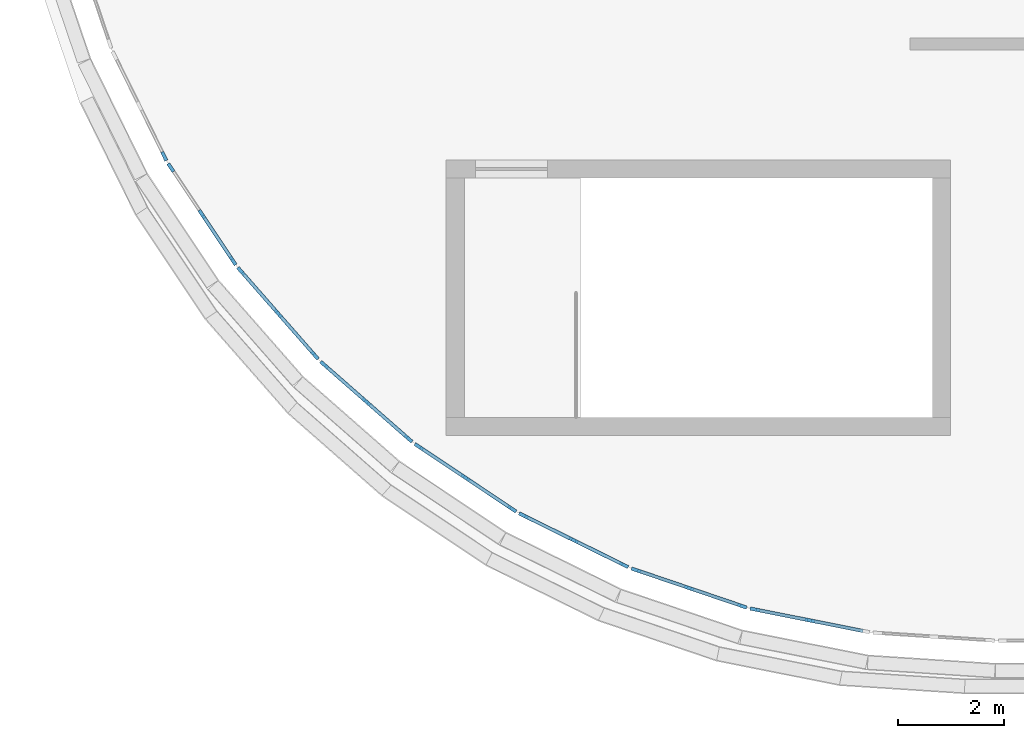
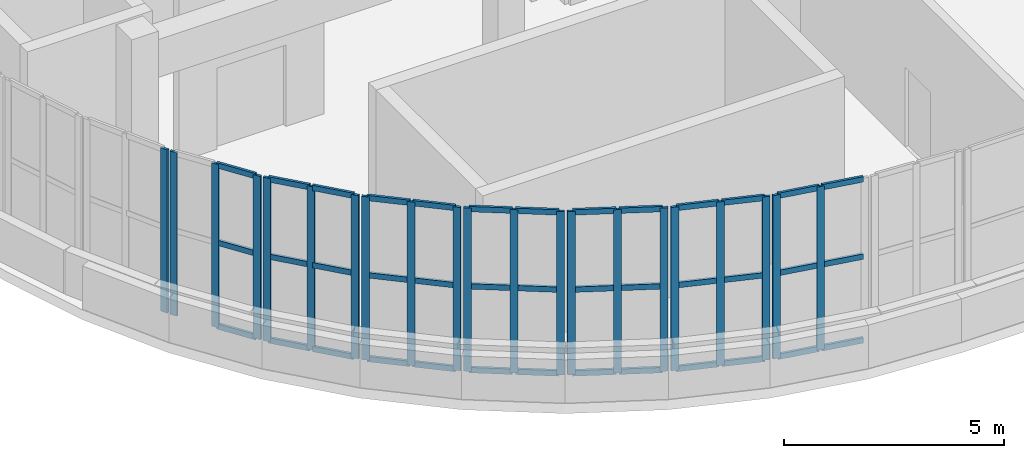
# One storey, part 2 of 23: 60 members, 8 elements without a shape of their own.
"""IFC4 building model written with IfcOpenShell, lengths in metres."""

from ifc_helpers import new_model, si_unit, direction, frame, origin, origin_2d, place, context, subcontext, project, spatial, rectangle, extrude, material, layer, layer_set, material_profile, profile_set, type_object, element, aggregate, save


model = new_model("IFC4")

# Units and contexts
model_context = context("Model", 3, precision=1e-05, world=origin(), true_north=direction((0.0, 1.0)))
body_context = subcontext(model_context, "Body", "Model", "MODEL_VIEW")
ifc_project = project(units=[si_unit("LENGTHUNIT", "METRE"), si_unit("AREAUNIT", "SQUARE_METRE"), si_unit("VOLUMEUNIT", "CUBIC_METRE"), si_unit("PLANEANGLEUNIT", "RADIAN"), si_unit("MASSUNIT", "GRAM", prefix="KILO")], contexts=[model_context])

# Site, building, storey
site_placement = place(None, origin())
site = spatial("IfcSite", under=ifc_project, at=site_placement, CompositionType="ELEMENT")
building_placement = place(site_placement, origin())
building = spatial("IfcBuilding", under=site, at=building_placement, Name="Cendralis Terraced Arcade", CompositionType="ELEMENT")
storey_placement = place(building_placement, frame((0.0, 0.0, 29.39990234375)))
storey = spatial("IfcBuildingStorey", under=building, at=storey_placement, Name="L06", CompositionType="ELEMENT", Elevation=29.39990234375)

# Curtain wall, members
ifc_material = material(Name="Anodised aluminium EN AW-6063 T6", Category="aluminium")
ifc_layer = layer(ifc_material, 0.179931640625, Name="CW-UNIT-A")
ifc_layer_set = layer_set([ifc_layer], Name="Anodised aluminium EN AW-6063 T6")
curtain_wall_type = type_object("IfcCurtainWallType", Name="CW-UNIT-A", PredefinedType="USERDEFINED", material=ifc_layer_set)
curtain_wall_1_placement = place(storey_placement, origin())
curtain_wall_1 = element("IfcCurtainWall", 1, at=curtain_wall_1_placement, inside=storey, type_object=curtain_wall_type, Name="Exterior Unitised Facade CW-L06-0486", ObjectType="UNITISED FACADE", PredefinedType="USERDEFINED")
ifc_material_profile_1 = material_profile(ifc_material, rectangle(XDim=0.06494140625, YDim=0.179931640625, at=origin_2d()), Name="ALU-MUL-65x180")
ifc_profile_set_1 = profile_set([ifc_material_profile_1], Name="Anodised aluminium EN AW-6063 T6")
member_type_1 = type_object("IfcMemberType", Name="CW-UNIT-A-MUL", PredefinedType="MULLION", material=ifc_profile_set_1)
member_1_placement = place(storey_placement, frame((20.095947265625, 6.383544921875, 0.0), z_axis=(0.0, 0.0, 1.0), x_axis=(-0.195045853998, -0.980794124594, 0.0)))
member_1 = element("IfcMember", 2, at=member_1_placement, type_object=member_type_1, Name="CW-U1 mullion 2", PredefinedType="MULLION", context=body_context, shape_type="SweptSolid", body=[
    extrude(rectangle(XDim=0.06494140625, YDim=0.179931640625, at=origin_2d()), origin(), (0.0, 0.0, 1.0), 4.525146484375),
])
member_2_placement = place(storey_placement, frame((19.0615234375, 6.58935546875, 0.0), z_axis=(0.0, 0.0, 1.0), x_axis=(-0.195045853998, -0.980794124594, 0.0)))
member_2 = element("IfcMember", 3, at=member_2_placement, type_object=member_type_1, Name="CW-U1 mullion 3", PredefinedType="MULLION", context=body_context, shape_type="SweptSolid", body=[
    extrude(rectangle(XDim=0.06494140625, YDim=0.179931640625, at=origin_2d()), origin(), (0.0, 0.0, 1.0), 4.525146484375),
])

curtain_wall_2_placement = place(storey_placement, origin())
curtain_wall_2 = element("IfcCurtainWall", 4, at=curtain_wall_2_placement, inside=storey, type_object=curtain_wall_type, Name="Exterior Unitised Facade CW-L06-0487", ObjectType="UNITISED FACADE", PredefinedType="USERDEFINED")
member_3_placement = place(storey_placement, frame((18.825439453125, 6.652587890625, 0.0), z_axis=(0.0, 0.0, 1.0), x_axis=(-0.321478962554, -0.946916721066, 0.0)))
member_3 = element("IfcMember", 5, at=member_3_placement, type_object=member_type_1, Name="CW-U1 mullion 1", PredefinedType="MULLION", context=body_context, shape_type="SweptSolid", body=[
    extrude(rectangle(XDim=0.06494140625, YDim=0.179931640625, at=origin_2d()), origin(), (0.0, 0.0, 1.0), 4.525146484375),
])
member_4_placement = place(storey_placement, frame((17.826416015625, 6.99169921875, 0.0), z_axis=(0.0, 0.0, 1.0), x_axis=(-0.321478962554, -0.946916721066, 0.0)))
member_4 = element("IfcMember", 6, at=member_4_placement, type_object=member_type_1, Name="CW-U1 mullion 2", PredefinedType="MULLION", context=body_context, shape_type="SweptSolid", body=[
    extrude(rectangle(XDim=0.06494140625, YDim=0.179931640625, at=origin_2d()), origin(), (0.0, 0.0, 1.0), 4.525146484375),
])
member_5_placement = place(storey_placement, frame((16.82763671875, 7.330810546875, 0.0), z_axis=(0.0, 0.0, 1.0), x_axis=(-0.321478962554, -0.946916721066, 0.0)))
member_5 = element("IfcMember", 7, at=member_5_placement, type_object=member_type_1, Name="CW-U1 mullion 3", PredefinedType="MULLION", context=body_context, shape_type="SweptSolid", body=[
    extrude(rectangle(XDim=0.06494140625, YDim=0.179931640625, at=origin_2d()), origin(), (0.0, 0.0, 1.0), 4.525146484375),
])

curtain_wall_3_placement = place(storey_placement, origin())
curtain_wall_3 = element("IfcCurtainWall", 8, at=curtain_wall_3_placement, inside=storey, type_object=curtain_wall_type, Name="Exterior Unitised Facade CW-L06-0488", ObjectType="UNITISED FACADE", PredefinedType="USERDEFINED")
member_6_placement = place(storey_placement, frame((16.601806640625, 7.42431640625, 0.0), z_axis=(0.0, 0.0, 1.0), x_axis=(-0.442258533133, -0.896887612731, 0.0)))
member_6 = element("IfcMember", 9, at=member_6_placement, type_object=member_type_1, Name="CW-U1 mullion 1", PredefinedType="MULLION", context=body_context, shape_type="SweptSolid", body=[
    extrude(rectangle(XDim=0.06494140625, YDim=0.179931640625, at=origin_2d()), origin(), (0.0, 0.0, 1.0), 4.525146484375),
])
member_7_placement = place(storey_placement, frame((15.65576171875, 7.890869140625, 0.0), z_axis=(0.0, 0.0, 1.0), x_axis=(-0.442258533133, -0.896887612731, 0.0)))
member_7 = element("IfcMember", 10, at=member_7_placement, type_object=member_type_1, Name="CW-U1 mullion 2", PredefinedType="MULLION", context=body_context, shape_type="SweptSolid", body=[
    extrude(rectangle(XDim=0.06494140625, YDim=0.179931640625, at=origin_2d()), origin(), (0.0, 0.0, 1.0), 4.525146484375),
])
member_8_placement = place(storey_placement, frame((14.7099609375, 8.357421875, 0.0), z_axis=(0.0, 0.0, 1.0), x_axis=(-0.442258533133, -0.896887612731, 0.0)))
member_8 = element("IfcMember", 11, at=member_8_placement, type_object=member_type_1, Name="CW-U1 mullion 3", PredefinedType="MULLION", context=body_context, shape_type="SweptSolid", body=[
    extrude(rectangle(XDim=0.06494140625, YDim=0.179931640625, at=origin_2d()), origin(), (0.0, 0.0, 1.0), 4.525146484375),
])

curtain_wall_4_placement = place(storey_placement, origin())
curtain_wall_4 = element("IfcCurtainWall", 12, at=curtain_wall_4_placement, inside=storey, type_object=curtain_wall_type, Name="Exterior Unitised Facade CW-L06-0489", ObjectType="UNITISED FACADE", PredefinedType="USERDEFINED")
member_9_placement = place(storey_placement, frame((14.498291015625, 8.4794921875, 0.0), z_axis=(0.0, 0.0, 1.0), x_axis=(-0.555559488738, -0.831476791301, 0.0)))
member_9 = element("IfcMember", 13, at=member_9_placement, type_object=member_type_1, Name="CW-U1 mullion 1", PredefinedType="MULLION", context=body_context, shape_type="SweptSolid", body=[
    extrude(rectangle(XDim=0.06494140625, YDim=0.179931640625, at=origin_2d()), origin(), (0.0, 0.0, 1.0), 4.525146484375),
])
member_10_placement = place(storey_placement, frame((13.62109375, 9.0654296875, 0.0), z_axis=(0.0, 0.0, 1.0), x_axis=(-0.555559488738, -0.831476791301, 0.0)))
member_10 = element("IfcMember", 14, at=member_10_placement, type_object=member_type_1, Name="CW-U1 mullion 2", PredefinedType="MULLION", context=body_context, shape_type="SweptSolid", body=[
    extrude(rectangle(XDim=0.06494140625, YDim=0.179931640625, at=origin_2d()), origin(), (0.0, 0.0, 1.0), 4.525146484375),
])
member_11_placement = place(storey_placement, frame((12.744140625, 9.651611328125, 0.0), z_axis=(0.0, 0.0, 1.0), x_axis=(-0.555559488738, -0.831476791301, 0.0)))
member_11 = element("IfcMember", 15, at=member_11_placement, type_object=member_type_1, Name="CW-U1 mullion 3", PredefinedType="MULLION", context=body_context, shape_type="SweptSolid", body=[
    extrude(rectangle(XDim=0.06494140625, YDim=0.179931640625, at=origin_2d()), origin(), (0.0, 0.0, 1.0), 4.525146484375),
])

curtain_wall_5_placement = place(storey_placement, origin())
curtain_wall_5 = element("IfcCurtainWall", 16, at=curtain_wall_5_placement, inside=storey, type_object=curtain_wall_type, Name="Exterior Unitised Facade CW-L06-0490", ObjectType="UNITISED FACADE", PredefinedType="USERDEFINED")
member_12_placement = place(storey_placement, frame((12.550048828125, 9.80029296875, 0.0), z_axis=(0.0, 0.0, 1.0), x_axis=(-0.659402709672, -0.75178990847, 0.0)))
member_12 = element("IfcMember", 17, at=member_12_placement, type_object=member_type_1, Name="CW-U1 mullion 1", PredefinedType="MULLION", context=body_context, shape_type="SweptSolid", body=[
    extrude(rectangle(XDim=0.06494140625, YDim=0.179931640625, at=origin_2d()), origin(), (0.0, 0.0, 1.0), 4.525146484375),
])
member_13_placement = place(storey_placement, frame((11.757080078125, 10.495849609375, 0.0), z_axis=(0.0, 0.0, 1.0), x_axis=(-0.659402709672, -0.75178990847, 0.0)))
member_13 = element("IfcMember", 18, at=member_13_placement, type_object=member_type_1, Name="CW-U1 mullion 2", PredefinedType="MULLION", context=body_context, shape_type="SweptSolid", body=[
    extrude(rectangle(XDim=0.06494140625, YDim=0.179931640625, at=origin_2d()), origin(), (0.0, 0.0, 1.0), 4.525146484375),
])
member_14_placement = place(storey_placement, frame((10.964111328125, 11.19140625, 0.0), z_axis=(0.0, 0.0, 1.0), x_axis=(-0.659402709672, -0.75178990847, 0.0)))
member_14 = element("IfcMember", 19, at=member_14_placement, type_object=member_type_1, Name="CW-U1 mullion 3", PredefinedType="MULLION", context=body_context, shape_type="SweptSolid", body=[
    extrude(rectangle(XDim=0.06494140625, YDim=0.179931640625, at=origin_2d()), origin(), (0.0, 0.0, 1.0), 4.525146484375),
])

curtain_wall_6_placement = place(storey_placement, origin())
curtain_wall_6 = element("IfcCurtainWall", 20, at=curtain_wall_6_placement, inside=storey, type_object=curtain_wall_type, Name="Exterior Unitised Facade CW-L06-0491", ObjectType="UNITISED FACADE", PredefinedType="USERDEFINED")
member_15_placement = place(storey_placement, frame((10.791259765625, 11.3642578125, 0.0), z_axis=(0.0, 0.0, 1.0), x_axis=(-0.75178990847, -0.659402709672, 0.0)))
member_15 = element("IfcMember", 21, at=member_15_placement, type_object=member_type_1, Name="CW-U1 mullion 1", PredefinedType="MULLION", context=body_context, shape_type="SweptSolid", body=[
    extrude(rectangle(XDim=0.06494140625, YDim=0.179931640625, at=origin_2d()), origin(), (0.0, 0.0, 1.0), 4.525146484375),
])
member_16_placement = place(storey_placement, frame((10.095947265625, 12.1572265625, 0.0), z_axis=(0.0, 0.0, 1.0), x_axis=(-0.75178990847, -0.659402709672, 0.0)))
member_16 = element("IfcMember", 22, at=member_16_placement, type_object=member_type_1, Name="CW-U1 mullion 2", PredefinedType="MULLION", context=body_context, shape_type="SweptSolid", body=[
    extrude(rectangle(XDim=0.06494140625, YDim=0.179931640625, at=origin_2d()), origin(), (0.0, 0.0, 1.0), 4.525146484375),
])
member_17_placement = place(storey_placement, frame((9.400390625, 12.9501953125, 0.0), z_axis=(0.0, 0.0, 1.0), x_axis=(-0.75178990847, -0.659402709672, 0.0)))
member_17 = element("IfcMember", 23, at=member_17_placement, type_object=member_type_1, Name="CW-U1 mullion 3", PredefinedType="MULLION", context=body_context, shape_type="SweptSolid", body=[
    extrude(rectangle(XDim=0.06494140625, YDim=0.179931640625, at=origin_2d()), origin(), (0.0, 0.0, 1.0), 4.525146484375),
])

curtain_wall_7_placement = place(storey_placement, origin())
curtain_wall_7 = element("IfcCurtainWall", 24, at=curtain_wall_7_placement, inside=storey, type_object=curtain_wall_type, Name="Exterior Unitised Facade CW-L06-0492", ObjectType="UNITISED FACADE", PredefinedType="USERDEFINED")
member_18_placement = place(storey_placement, frame((9.25146484375, 13.14404296875, 0.0), z_axis=(0.0, 0.0, 1.0), x_axis=(-0.831476791301, -0.555559488738, 0.0)))
member_18 = element("IfcMember", 25, at=member_18_placement, type_object=member_type_1, Name="CW-U1 mullion 1", PredefinedType="MULLION", context=body_context, shape_type="SweptSolid", body=[
    extrude(rectangle(XDim=0.06494140625, YDim=0.179931640625, at=origin_2d()), origin(), (0.0, 0.0, 1.0), 4.525146484375),
])
member_19_placement = place(storey_placement, frame((8.66552734375, 14.021240234375, 0.0), z_axis=(0.0, 0.0, 1.0), x_axis=(-0.831476791301, -0.555559488738, 0.0)))
member_19 = element("IfcMember", 26, at=member_19_placement, type_object=member_type_1, Name="CW-U1 mullion 2", PredefinedType="MULLION", context=body_context, shape_type="SweptSolid", body=[
    extrude(rectangle(XDim=0.06494140625, YDim=0.179931640625, at=origin_2d()), origin(), (0.0, 0.0, 1.0), 4.525146484375),
])
member_20_placement = place(storey_placement, frame((8.07958984375, 14.898193359375, 0.0), z_axis=(0.0, 0.0, 1.0), x_axis=(-0.831476791301, -0.555559488738, 0.0)))
member_20 = element("IfcMember", 27, at=member_20_placement, type_object=member_type_1, Name="CW-U1 mullion 3", PredefinedType="MULLION", context=body_context, shape_type="SweptSolid", body=[
    extrude(rectangle(XDim=0.06494140625, YDim=0.179931640625, at=origin_2d()), origin(), (0.0, 0.0, 1.0), 4.525146484375),
])

# Curtain wall, member
curtain_wall_8_placement = place(storey_placement, origin())
curtain_wall_8 = element("IfcCurtainWall", 28, at=curtain_wall_8_placement, inside=storey, type_object=curtain_wall_type, Name="Exterior Unitised Facade CW-L06-0493", ObjectType="UNITISED FACADE", PredefinedType="USERDEFINED")
member_21_placement = place(storey_placement, frame((7.957275390625, 15.10986328125, 0.0), z_axis=(0.0, 0.0, 1.0), x_axis=(-0.896887612731, -0.442258533133, 0.0)))
member_21 = element("IfcMember", 29, at=member_21_placement, type_object=member_type_1, Name="CW-U1 mullion 1", PredefinedType="MULLION", context=body_context, shape_type="SweptSolid", body=[
    extrude(rectangle(XDim=0.06494140625, YDim=0.179931640625, at=origin_2d()), origin(), (0.0, 0.0, 1.0), 4.525146484375),
])
aggregate(curtain_wall_8, [member_21])

# Member
ifc_material_profile_2 = material_profile(ifc_material, rectangle(XDim=0.06494140625, YDim=0.14990234375, at=origin_2d()), Name="ALU-TRN-65x150")
ifc_profile_set_2 = profile_set([ifc_material_profile_2], Name="Anodised aluminium EN AW-6063 T6")
member_type_2 = type_object("IfcMemberType", Name="CW-UNIT-A-TRN", PredefinedType="USERDEFINED", material=ifc_profile_set_2)
member_22_placement = place(storey_placement, frame((21.098388671875, 6.184326171875, 0.03271484375), z_axis=(-0.980826586714, 0.194882546153, 0.0), x_axis=(-0.194882546153, -0.980826586714, 0.0)))
member_22 = element("IfcMember", 30, at=member_22_placement, type_object=member_type_2, Name="CW-U1 transom 1.1", ObjectType="TRANSOM", PredefinedType="USERDEFINED", context=body_context, shape_type="SweptSolid", body=[
    extrude(rectangle(XDim=0.06494140625, YDim=0.14990234375, at=origin_2d()), origin(), (0.0, 0.0, 1.0), 0.98974609375),
])

member_23_placement = place(storey_placement, frame((21.098388671875, 6.184326171875, 2.35302734375), z_axis=(-0.980826586714, 0.194882546153, 0.0), x_axis=(-0.194882546153, -0.980826586714, 0.0)))
member_23 = element("IfcMember", 31, at=member_23_placement, type_object=member_type_2, Name="CW-U1 transom 1.2", ObjectType="TRANSOM", PredefinedType="USERDEFINED", context=body_context, shape_type="SweptSolid", body=[
    extrude(rectangle(XDim=0.06494140625, YDim=0.14990234375, at=origin_2d()), origin(), (0.0, 0.0, 1.0), 0.98974609375),
])

member_24_placement = place(storey_placement, frame((21.098388671875, 6.184326171875, 4.49267578125), z_axis=(-0.980826586714, 0.194882546153, 0.0), x_axis=(-0.194882546153, -0.980826586714, 0.0)))
member_24 = element("IfcMember", 32, at=member_24_placement, type_object=member_type_2, Name="CW-U1 transom 1.3", ObjectType="TRANSOM", PredefinedType="USERDEFINED", context=body_context, shape_type="SweptSolid", body=[
    extrude(rectangle(XDim=0.06494140625, YDim=0.14990234375, at=origin_2d()), origin(), (0.0, 0.0, 1.0), 0.98974609375),
])

member_25_placement = place(storey_placement, frame((20.06396484375, 6.389892578125, 0.03271484375), z_axis=(-0.98077940709, 0.195119846833, 0.0), x_axis=(-0.195119846833, -0.98077940709, 0.0)))
member_25 = element("IfcMember", 33, at=member_25_placement, type_object=member_type_2, Name="CW-U1 transom 2.1", ObjectType="TRANSOM", PredefinedType="USERDEFINED", context=body_context, shape_type="SweptSolid", body=[
    extrude(rectangle(XDim=0.06494140625, YDim=0.14990234375, at=origin_2d()), origin(), (0.0, 0.0, 1.0), 0.98974609375),
])

member_26_placement = place(storey_placement, frame((20.06396484375, 6.389892578125, 2.35302734375), z_axis=(-0.98077940709, 0.195119846833, 0.0), x_axis=(-0.195119846833, -0.98077940709, 0.0)))
member_26 = element("IfcMember", 34, at=member_26_placement, type_object=member_type_2, Name="CW-U1 transom 2.2", ObjectType="TRANSOM", PredefinedType="USERDEFINED", context=body_context, shape_type="SweptSolid", body=[
    extrude(rectangle(XDim=0.06494140625, YDim=0.14990234375, at=origin_2d()), origin(), (0.0, 0.0, 1.0), 0.98974609375),
])

member_27_placement = place(storey_placement, frame((20.06396484375, 6.389892578125, 4.49267578125), z_axis=(-0.98077940709, 0.195119846833, 0.0), x_axis=(-0.195119846833, -0.98077940709, 0.0)))
member_27 = element("IfcMember", 35, at=member_27_placement, type_object=member_type_2, Name="CW-U1 transom 2.3", ObjectType="TRANSOM", PredefinedType="USERDEFINED", context=body_context, shape_type="SweptSolid", body=[
    extrude(rectangle(XDim=0.06494140625, YDim=0.14990234375, at=origin_2d()), origin(), (0.0, 0.0, 1.0), 0.98974609375),
])

aggregate(curtain_wall_1, [member_1, member_2, member_22, member_23, member_24, member_25, member_26, member_27])

member_28_placement = place(storey_placement, frame((18.79443359375, 6.6630859375, 0.03271484375), z_axis=(-0.946942509421, 0.321402992909, 0.0), x_axis=(-0.321402992909, -0.946942509421, 0.0)))
member_28 = element("IfcMember", 36, at=member_28_placement, type_object=member_type_2, Name="CW-U1 transom 1.1", ObjectType="TRANSOM", PredefinedType="USERDEFINED", context=body_context, shape_type="SweptSolid", body=[
    extrude(rectangle(XDim=0.06494140625, YDim=0.14990234375, at=origin_2d()), origin(), (0.0, 0.0, 1.0), 0.98974609375),
])

member_29_placement = place(storey_placement, frame((18.79443359375, 6.6630859375, 2.35302734375), z_axis=(-0.946942509421, 0.321402992909, 0.0), x_axis=(-0.321402992909, -0.946942509421, 0.0)))
member_29 = element("IfcMember", 37, at=member_29_placement, type_object=member_type_2, Name="CW-U1 transom 1.2", ObjectType="TRANSOM", PredefinedType="USERDEFINED", context=body_context, shape_type="SweptSolid", body=[
    extrude(rectangle(XDim=0.06494140625, YDim=0.14990234375, at=origin_2d()), origin(), (0.0, 0.0, 1.0), 0.98974609375),
])

member_30_placement = place(storey_placement, frame((18.79443359375, 6.6630859375, 4.49267578125), z_axis=(-0.946942509421, 0.321402992909, 0.0), x_axis=(-0.321402992909, -0.946942509421, 0.0)))
member_30 = element("IfcMember", 38, at=member_30_placement, type_object=member_type_2, Name="CW-U1 transom 1.3", ObjectType="TRANSOM", PredefinedType="USERDEFINED", context=body_context, shape_type="SweptSolid", body=[
    extrude(rectangle(XDim=0.06494140625, YDim=0.14990234375, at=origin_2d()), origin(), (0.0, 0.0, 1.0), 0.98974609375),
])

member_31_placement = place(storey_placement, frame((17.795654296875, 7.002197265625, 0.03271484375), z_axis=(-0.946942509421, 0.321402992909, 0.0), x_axis=(-0.321402992909, -0.946942509421, 0.0)))
member_31 = element("IfcMember", 39, at=member_31_placement, type_object=member_type_2, Name="CW-U1 transom 2.1", ObjectType="TRANSOM", PredefinedType="USERDEFINED", context=body_context, shape_type="SweptSolid", body=[
    extrude(rectangle(XDim=0.06494140625, YDim=0.14990234375, at=origin_2d()), origin(), (0.0, 0.0, 1.0), 0.98974609375),
])

member_32_placement = place(storey_placement, frame((17.795654296875, 7.002197265625, 2.35302734375), z_axis=(-0.946942509421, 0.321402992909, 0.0), x_axis=(-0.321402992909, -0.946942509421, 0.0)))
member_32 = element("IfcMember", 40, at=member_32_placement, type_object=member_type_2, Name="CW-U1 transom 2.2", ObjectType="TRANSOM", PredefinedType="USERDEFINED", context=body_context, shape_type="SweptSolid", body=[
    extrude(rectangle(XDim=0.06494140625, YDim=0.14990234375, at=origin_2d()), origin(), (0.0, 0.0, 1.0), 0.98974609375),
])

member_33_placement = place(storey_placement, frame((17.795654296875, 7.002197265625, 4.49267578125), z_axis=(-0.946942509421, 0.321402992909, 0.0), x_axis=(-0.321402992909, -0.946942509421, 0.0)))
member_33 = element("IfcMember", 41, at=member_33_placement, type_object=member_type_2, Name="CW-U1 transom 2.3", ObjectType="TRANSOM", PredefinedType="USERDEFINED", context=body_context, shape_type="SweptSolid", body=[
    extrude(rectangle(XDim=0.06494140625, YDim=0.14990234375, at=origin_2d()), origin(), (0.0, 0.0, 1.0), 0.98974609375),
])

aggregate(curtain_wall_2, [member_3, member_4, member_5, member_28, member_29, member_30, member_31, member_32, member_33])

member_34_placement = place(storey_placement, frame((16.57275390625, 7.438720703125, 0.03271484375), z_axis=(-0.89688025302, 0.442273458104, 0.0), x_axis=(-0.442273458104, -0.89688025302, 0.0)))
member_34 = element("IfcMember", 42, at=member_34_placement, type_object=member_type_2, Name="CW-U1 transom 1.1", ObjectType="TRANSOM", PredefinedType="USERDEFINED", context=body_context, shape_type="SweptSolid", body=[
    extrude(rectangle(XDim=0.06494140625, YDim=0.14990234375, at=origin_2d()), origin(), (0.0, 0.0, 1.0), 0.98974609375),
])

member_35_placement = place(storey_placement, frame((16.57275390625, 7.438720703125, 2.35302734375), z_axis=(-0.89688025302, 0.442273458104, 0.0), x_axis=(-0.442273458104, -0.89688025302, 0.0)))
member_35 = element("IfcMember", 43, at=member_35_placement, type_object=member_type_2, Name="CW-U1 transom 1.2", ObjectType="TRANSOM", PredefinedType="USERDEFINED", context=body_context, shape_type="SweptSolid", body=[
    extrude(rectangle(XDim=0.06494140625, YDim=0.14990234375, at=origin_2d()), origin(), (0.0, 0.0, 1.0), 0.98974609375),
])

member_36_placement = place(storey_placement, frame((16.57275390625, 7.438720703125, 4.49267578125), z_axis=(-0.89688025302, 0.442273458104, 0.0), x_axis=(-0.442273458104, -0.89688025302, 0.0)))
member_36 = element("IfcMember", 44, at=member_36_placement, type_object=member_type_2, Name="CW-U1 transom 1.3", ObjectType="TRANSOM", PredefinedType="USERDEFINED", context=body_context, shape_type="SweptSolid", body=[
    extrude(rectangle(XDim=0.06494140625, YDim=0.14990234375, at=origin_2d()), origin(), (0.0, 0.0, 1.0), 0.98974609375),
])

member_37_placement = place(storey_placement, frame((15.626708984375, 7.9052734375, 0.03271484375), z_axis=(-0.89688025302, 0.442273458104, 0.0), x_axis=(-0.442273458104, -0.89688025302, 0.0)))
member_37 = element("IfcMember", 45, at=member_37_placement, type_object=member_type_2, Name="CW-U1 transom 2.1", ObjectType="TRANSOM", PredefinedType="USERDEFINED", context=body_context, shape_type="SweptSolid", body=[
    extrude(rectangle(XDim=0.06494140625, YDim=0.14990234375, at=origin_2d()), origin(), (0.0, 0.0, 1.0), 0.98974609375),
])

member_38_placement = place(storey_placement, frame((15.626708984375, 7.9052734375, 2.35302734375), z_axis=(-0.89688025302, 0.442273458104, 0.0), x_axis=(-0.442273458104, -0.89688025302, 0.0)))
member_38 = element("IfcMember", 46, at=member_38_placement, type_object=member_type_2, Name="CW-U1 transom 2.2", ObjectType="TRANSOM", PredefinedType="USERDEFINED", context=body_context, shape_type="SweptSolid", body=[
    extrude(rectangle(XDim=0.06494140625, YDim=0.14990234375, at=origin_2d()), origin(), (0.0, 0.0, 1.0), 0.98974609375),
])

member_39_placement = place(storey_placement, frame((15.626708984375, 7.9052734375, 4.49267578125), z_axis=(-0.89688025302, 0.442273458104, 0.0), x_axis=(-0.442273458104, -0.89688025302, 0.0)))
member_39 = element("IfcMember", 47, at=member_39_placement, type_object=member_type_2, Name="CW-U1 transom 2.3", ObjectType="TRANSOM", PredefinedType="USERDEFINED", context=body_context, shape_type="SweptSolid", body=[
    extrude(rectangle(XDim=0.06494140625, YDim=0.14990234375, at=origin_2d()), origin(), (0.0, 0.0, 1.0), 0.98974609375),
])

aggregate(curtain_wall_3, [member_6, member_7, member_8, member_34, member_35, member_36, member_37, member_38, member_39])

member_40_placement = place(storey_placement, frame((14.47119140625, 8.49755859375, 0.03271484375), z_axis=(-0.831404687849, 0.555667387043, 0.0), x_axis=(-0.555667387043, -0.831404687849, 0.0)))
member_40 = element("IfcMember", 48, at=member_40_placement, type_object=member_type_2, Name="CW-U1 transom 1.1", ObjectType="TRANSOM", PredefinedType="USERDEFINED", context=body_context, shape_type="SweptSolid", body=[
    extrude(rectangle(XDim=0.06494140625, YDim=0.14990234375, at=origin_2d()), origin(), (0.0, 0.0, 1.0), 0.989990234375),
])

member_41_placement = place(storey_placement, frame((14.47119140625, 8.49755859375, 2.35302734375), z_axis=(-0.831404687849, 0.555667387043, 0.0), x_axis=(-0.555667387043, -0.831404687849, 0.0)))
member_41 = element("IfcMember", 49, at=member_41_placement, type_object=member_type_2, Name="CW-U1 transom 1.2", ObjectType="TRANSOM", PredefinedType="USERDEFINED", context=body_context, shape_type="SweptSolid", body=[
    extrude(rectangle(XDim=0.06494140625, YDim=0.14990234375, at=origin_2d()), origin(), (0.0, 0.0, 1.0), 0.989990234375),
])

member_42_placement = place(storey_placement, frame((14.47119140625, 8.49755859375, 4.49267578125), z_axis=(-0.831404687849, 0.555667387043, 0.0), x_axis=(-0.555667387043, -0.831404687849, 0.0)))
member_42 = element("IfcMember", 50, at=member_42_placement, type_object=member_type_2, Name="CW-U1 transom 1.3", ObjectType="TRANSOM", PredefinedType="USERDEFINED", context=body_context, shape_type="SweptSolid", body=[
    extrude(rectangle(XDim=0.06494140625, YDim=0.14990234375, at=origin_2d()), origin(), (0.0, 0.0, 1.0), 0.989990234375),
])

member_43_placement = place(storey_placement, frame((13.59423828125, 9.08349609375, 0.03271484375), z_axis=(-0.831404687849, 0.555667387043, 0.0), x_axis=(-0.555667387043, -0.831404687849, 0.0)))
member_43 = element("IfcMember", 51, at=member_43_placement, type_object=member_type_2, Name="CW-U1 transom 2.1", ObjectType="TRANSOM", PredefinedType="USERDEFINED", context=body_context, shape_type="SweptSolid", body=[
    extrude(rectangle(XDim=0.06494140625, YDim=0.14990234375, at=origin_2d()), origin(), (0.0, 0.0, 1.0), 0.989990234375),
])

member_44_placement = place(storey_placement, frame((13.59423828125, 9.08349609375, 2.35302734375), z_axis=(-0.831404687849, 0.555667387043, 0.0), x_axis=(-0.555667387043, -0.831404687849, 0.0)))
member_44 = element("IfcMember", 52, at=member_44_placement, type_object=member_type_2, Name="CW-U1 transom 2.2", ObjectType="TRANSOM", PredefinedType="USERDEFINED", context=body_context, shape_type="SweptSolid", body=[
    extrude(rectangle(XDim=0.06494140625, YDim=0.14990234375, at=origin_2d()), origin(), (0.0, 0.0, 1.0), 0.989990234375),
])

member_45_placement = place(storey_placement, frame((13.59423828125, 9.08349609375, 4.49267578125), z_axis=(-0.831404687849, 0.555667387043, 0.0), x_axis=(-0.555667387043, -0.831404687849, 0.0)))
member_45 = element("IfcMember", 53, at=member_45_placement, type_object=member_type_2, Name="CW-U1 transom 2.3", ObjectType="TRANSOM", PredefinedType="USERDEFINED", context=body_context, shape_type="SweptSolid", body=[
    extrude(rectangle(XDim=0.06494140625, YDim=0.14990234375, at=origin_2d()), origin(), (0.0, 0.0, 1.0), 0.989990234375),
])

aggregate(curtain_wall_4, [member_9, member_10, member_11, member_40, member_41, member_42, member_43, member_44, member_45])

member_46_placement = place(storey_placement, frame((12.525634765625, 9.82177734375, 0.03271484375), z_axis=(-0.751735509619, 0.659464725045, 0.0), x_axis=(-0.659464725045, -0.751735509619, 0.0)))
member_46 = element("IfcMember", 54, at=member_46_placement, type_object=member_type_2, Name="CW-U1 transom 1.1", ObjectType="TRANSOM", PredefinedType="USERDEFINED", context=body_context, shape_type="SweptSolid", body=[
    extrude(rectangle(XDim=0.06494140625, YDim=0.14990234375, at=origin_2d()), origin(), (0.0, 0.0, 1.0), 0.989501953125),
])

member_47_placement = place(storey_placement, frame((12.525634765625, 9.82177734375, 2.35302734375), z_axis=(-0.751735509619, 0.659464725045, 0.0), x_axis=(-0.659464725045, -0.751735509619, 0.0)))
member_47 = element("IfcMember", 55, at=member_47_placement, type_object=member_type_2, Name="CW-U1 transom 1.2", ObjectType="TRANSOM", PredefinedType="USERDEFINED", context=body_context, shape_type="SweptSolid", body=[
    extrude(rectangle(XDim=0.06494140625, YDim=0.14990234375, at=origin_2d()), origin(), (0.0, 0.0, 1.0), 0.989501953125),
])

member_48_placement = place(storey_placement, frame((12.525634765625, 9.82177734375, 4.49267578125), z_axis=(-0.751735509619, 0.659464725045, 0.0), x_axis=(-0.659464725045, -0.751735509619, 0.0)))
member_48 = element("IfcMember", 56, at=member_48_placement, type_object=member_type_2, Name="CW-U1 transom 1.3", ObjectType="TRANSOM", PredefinedType="USERDEFINED", context=body_context, shape_type="SweptSolid", body=[
    extrude(rectangle(XDim=0.06494140625, YDim=0.14990234375, at=origin_2d()), origin(), (0.0, 0.0, 1.0), 0.989501953125),
])

member_49_placement = place(storey_placement, frame((11.732666015625, 10.517333984375, 0.03271484375), z_axis=(-0.751735509619, 0.659464725045, 0.0), x_axis=(-0.659464725045, -0.751735509619, 0.0)))
member_49 = element("IfcMember", 57, at=member_49_placement, type_object=member_type_2, Name="CW-U1 transom 2.1", ObjectType="TRANSOM", PredefinedType="USERDEFINED", context=body_context, shape_type="SweptSolid", body=[
    extrude(rectangle(XDim=0.06494140625, YDim=0.14990234375, at=origin_2d()), origin(), (0.0, 0.0, 1.0), 0.989501953125),
])

member_50_placement = place(storey_placement, frame((11.732666015625, 10.517333984375, 2.35302734375), z_axis=(-0.751735509619, 0.659464725045, 0.0), x_axis=(-0.659464725045, -0.751735509619, 0.0)))
member_50 = element("IfcMember", 58, at=member_50_placement, type_object=member_type_2, Name="CW-U1 transom 2.2", ObjectType="TRANSOM", PredefinedType="USERDEFINED", context=body_context, shape_type="SweptSolid", body=[
    extrude(rectangle(XDim=0.06494140625, YDim=0.14990234375, at=origin_2d()), origin(), (0.0, 0.0, 1.0), 0.989501953125),
])

member_51_placement = place(storey_placement, frame((11.732666015625, 10.517333984375, 4.49267578125), z_axis=(-0.751735509619, 0.659464725045, 0.0), x_axis=(-0.659464725045, -0.751735509619, 0.0)))
member_51 = element("IfcMember", 59, at=member_51_placement, type_object=member_type_2, Name="CW-U1 transom 2.3", ObjectType="TRANSOM", PredefinedType="USERDEFINED", context=body_context, shape_type="SweptSolid", body=[
    extrude(rectangle(XDim=0.06494140625, YDim=0.14990234375, at=origin_2d()), origin(), (0.0, 0.0, 1.0), 0.989501953125),
])

aggregate(curtain_wall_5, [member_12, member_13, member_14, member_46, member_47, member_48, member_49, member_50, member_51])

member_52_placement = place(storey_placement, frame((10.77001953125, 11.388671875, 0.03271484375), z_axis=(-0.65948183175, 0.751720502309, 0.0), x_axis=(-0.751720502309, -0.65948183175, 0.0)))
member_52 = element("IfcMember", 60, at=member_52_placement, type_object=member_type_2, Name="CW-U1 transom 1.1", ObjectType="TRANSOM", PredefinedType="USERDEFINED", context=body_context, shape_type="SweptSolid", body=[
    extrude(rectangle(XDim=0.06494140625, YDim=0.14990234375, at=origin_2d()), origin(), (0.0, 0.0, 1.0), 0.989990234375),
])

member_53_placement = place(storey_placement, frame((10.77001953125, 11.388671875, 2.35302734375), z_axis=(-0.65948183175, 0.751720502309, 0.0), x_axis=(-0.751720502309, -0.65948183175, 0.0)))
member_53 = element("IfcMember", 61, at=member_53_placement, type_object=member_type_2, Name="CW-U1 transom 1.2", ObjectType="TRANSOM", PredefinedType="USERDEFINED", context=body_context, shape_type="SweptSolid", body=[
    extrude(rectangle(XDim=0.06494140625, YDim=0.14990234375, at=origin_2d()), origin(), (0.0, 0.0, 1.0), 0.989990234375),
])

member_54_placement = place(storey_placement, frame((10.77001953125, 11.388671875, 4.49267578125), z_axis=(-0.65948183175, 0.751720502309, 0.0), x_axis=(-0.751720502309, -0.65948183175, 0.0)))
member_54 = element("IfcMember", 62, at=member_54_placement, type_object=member_type_2, Name="CW-U1 transom 1.3", ObjectType="TRANSOM", PredefinedType="USERDEFINED", context=body_context, shape_type="SweptSolid", body=[
    extrude(rectangle(XDim=0.06494140625, YDim=0.14990234375, at=origin_2d()), origin(), (0.0, 0.0, 1.0), 0.989990234375),
])

member_55_placement = place(storey_placement, frame((10.074462890625, 12.181640625, 0.03271484375), z_axis=(-0.659342432582, 0.751842773854, 0.0), x_axis=(-0.751842773854, -0.659342432582, 0.0)))
member_55 = element("IfcMember", 63, at=member_55_placement, type_object=member_type_2, Name="CW-U1 transom 2.1", ObjectType="TRANSOM", PredefinedType="USERDEFINED", context=body_context, shape_type="SweptSolid", body=[
    extrude(rectangle(XDim=0.06494140625, YDim=0.14990234375, at=origin_2d()), origin(), (0.0, 0.0, 1.0), 0.98974609375),
])

member_56_placement = place(storey_placement, frame((10.074462890625, 12.181640625, 2.35302734375), z_axis=(-0.659342432582, 0.751842773854, 0.0), x_axis=(-0.751842773854, -0.659342432582, 0.0)))
member_56 = element("IfcMember", 64, at=member_56_placement, type_object=member_type_2, Name="CW-U1 transom 2.2", ObjectType="TRANSOM", PredefinedType="USERDEFINED", context=body_context, shape_type="SweptSolid", body=[
    extrude(rectangle(XDim=0.06494140625, YDim=0.14990234375, at=origin_2d()), origin(), (0.0, 0.0, 1.0), 0.98974609375),
])

member_57_placement = place(storey_placement, frame((10.074462890625, 12.181640625, 4.49267578125), z_axis=(-0.659342432582, 0.751842773854, 0.0), x_axis=(-0.751842773854, -0.659342432582, 0.0)))
member_57 = element("IfcMember", 65, at=member_57_placement, type_object=member_type_2, Name="CW-U1 transom 2.3", ObjectType="TRANSOM", PredefinedType="USERDEFINED", context=body_context, shape_type="SweptSolid", body=[
    extrude(rectangle(XDim=0.06494140625, YDim=0.14990234375, at=origin_2d()), origin(), (0.0, 0.0, 1.0), 0.98974609375),
])

aggregate(curtain_wall_6, [member_15, member_16, member_17, member_52, member_53, member_54, member_55, member_56, member_57])

member_58_placement = place(storey_placement, frame((9.2333984375, 13.171142578125, 0.03271484375), z_axis=(-0.555496869946, 0.83151862726, 0.0), x_axis=(-0.83151862726, -0.555496869946, 0.0)))
member_58 = element("IfcMember", 66, at=member_58_placement, type_object=member_type_2, Name="CW-U1 transom 1.1", ObjectType="TRANSOM", PredefinedType="USERDEFINED", context=body_context, shape_type="SweptSolid", body=[
    extrude(rectangle(XDim=0.06494140625, YDim=0.14990234375, at=origin_2d()), origin(), (0.0, 0.0, 1.0), 0.98974609375),
])

member_59_placement = place(storey_placement, frame((9.2333984375, 13.171142578125, 2.35302734375), z_axis=(-0.555496869946, 0.83151862726, 0.0), x_axis=(-0.83151862726, -0.555496869946, 0.0)))
member_59 = element("IfcMember", 67, at=member_59_placement, type_object=member_type_2, Name="CW-U1 transom 1.2", ObjectType="TRANSOM", PredefinedType="USERDEFINED", context=body_context, shape_type="SweptSolid", body=[
    extrude(rectangle(XDim=0.06494140625, YDim=0.14990234375, at=origin_2d()), origin(), (0.0, 0.0, 1.0), 0.98974609375),
])

member_60_placement = place(storey_placement, frame((9.2333984375, 13.171142578125, 4.49267578125), z_axis=(-0.555496869946, 0.83151862726, 0.0), x_axis=(-0.83151862726, -0.555496869946, 0.0)))
member_60 = element("IfcMember", 68, at=member_60_placement, type_object=member_type_2, Name="CW-U1 transom 1.3", ObjectType="TRANSOM", PredefinedType="USERDEFINED", context=body_context, shape_type="SweptSolid", body=[
    extrude(rectangle(XDim=0.06494140625, YDim=0.14990234375, at=origin_2d()), origin(), (0.0, 0.0, 1.0), 0.98974609375),
])

aggregate(curtain_wall_7, [member_18, member_19, member_20, member_58, member_59, member_60])

save(model, "model.ifc")
